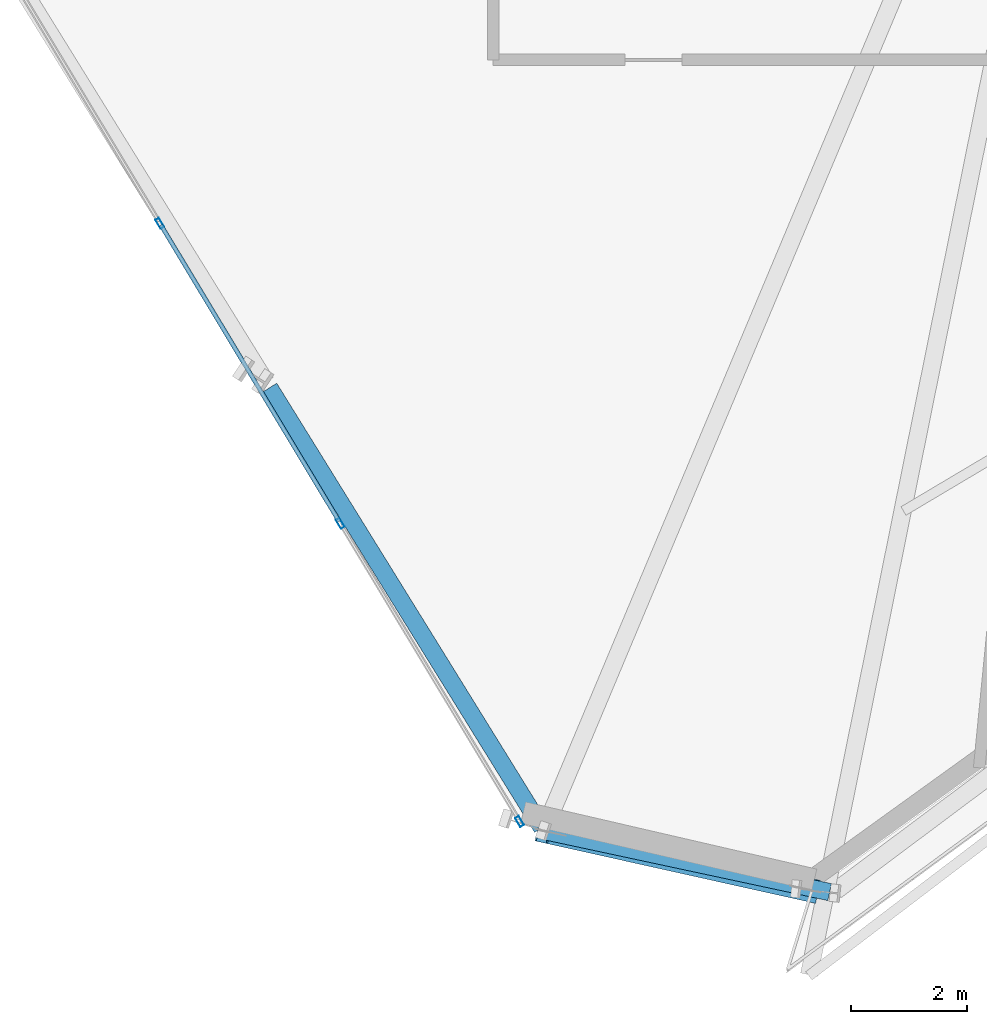
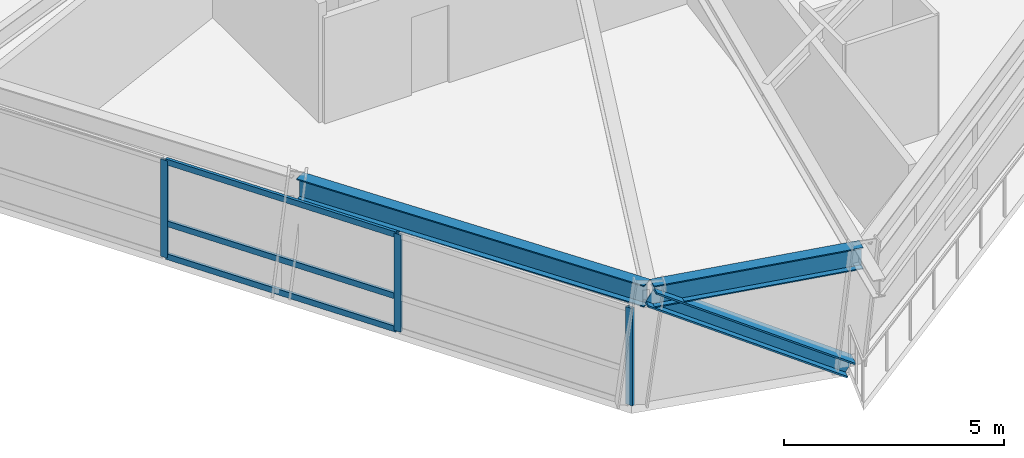
# One storey, part 2 of 18: 7 members, 2 beams, 1 element without a shape of its own.
"""IFC4 building model written with IfcOpenShell, lengths in metres."""

from ifc_helpers import new_model, si_unit, direction, frame, origin, origin_2d, place, context, subcontext, project, spatial, hollow_rectangle, i_section, extrude, source, transform, mapped, material, material_profile, profile_set, type_object, element, aggregate, save


model = new_model("IFC4")

# Units and contexts
model_context = context("Model", 3, precision=1e-05, world=origin(), true_north=direction((0.0, 1.0)))
body_context = subcontext(model_context, "Body", "Model", "MODEL_VIEW")
ifc_project = project(units=[si_unit("LENGTHUNIT", "METRE"), si_unit("AREAUNIT", "SQUARE_METRE"), si_unit("VOLUMEUNIT", "CUBIC_METRE"), si_unit("PLANEANGLEUNIT", "RADIAN"), si_unit("MASSUNIT", "GRAM", prefix="KILO")], contexts=[model_context])

# Site, building, storey
site_placement = place(None, origin())
site = spatial("IfcSite", under=ifc_project, at=site_placement, CompositionType="ELEMENT")
building_placement = place(site_placement, origin())
building = spatial("IfcBuilding", under=site, at=building_placement, Name="Olszyna Solenne Hotel", CompositionType="ELEMENT")
storey_placement = place(building_placement, frame((0.0, 0.0, 119.89990234375)))
storey = spatial("IfcBuildingStorey", under=building, at=storey_placement, Name="L31", CompositionType="ELEMENT", Elevation=119.89990234375)

# Beams
ifc_material_1 = material(Name="Steel S355J2", Category="steel")
ifc_material_profile_1 = material_profile(ifc_material_1, i_section(OverallWidth=0.300048828125, OverallDepth=0.60009765625, WebThickness=0.015380859375, FlangeThickness=0.030029296875, at=origin_2d()), Name="HEB 600", Category="load-bearing")
ifc_profile_set_1 = profile_set([ifc_material_profile_1], Name="Steel S355J2")
beam_type = type_object("IfcBeamType", Name="BM-S2", PredefinedType="BEAM", material=ifc_profile_set_1)
shared_shape_1 = source(origin(), body_context, "Body", "SweptSolid", [
    extrude(i_section(OverallWidth=0.300048828125, OverallDepth=0.60009765625, WebThickness=0.015380859375, FlangeThickness=0.030029296875, at=origin_2d()), origin(), (0.0, 0.0, 1.0), 8.9404296875),
])
beam_1_placement = place(storey_placement, frame((23.58544921875, 11.186767578125, 3.0), z_axis=(0.526599958294, -0.850113218298, 0.0), x_axis=(0.850113218298, 0.526599958294, 0.0)))
element("IfcBeam", 1, at=beam_1_placement, inside=storey, type_object=beam_type, Name="Perimeter spandrel beam BM-S2 B-L31-0934", PredefinedType="BEAM", context=body_context, shape_type="MappedRepresentation", body=[
    mapped(shared_shape_1, transform((0.0, 0.0, 0.0), x_axis=(1.0, 0.0, 0.0), y_axis=(0.0, 1.0, 0.0), z_axis=(0.0, 0.0, 1.0), scale=1.0)),
])
shared_shape_2 = source(origin(), body_context, "Body", "SweptSolid", [
    extrude(i_section(OverallWidth=0.300048828125, OverallDepth=0.60009765625, WebThickness=0.015380859375, FlangeThickness=0.030029296875, at=origin_2d()), origin(), (0.0, 0.0, 1.0), 4.9892578125),
])
beam_2_placement = place(storey_placement, frame((28.3837890625, 3.522705078125, 3.0), z_axis=(0.977790954995, -0.209582557314, 0.0), x_axis=(0.209582557314, 0.977790954995, 0.0)))
element("IfcBeam", 2, at=beam_2_placement, inside=storey, type_object=beam_type, Name="Perimeter spandrel beam BM-S2 B-L31-0935", PredefinedType="BEAM", context=body_context, shape_type="MappedRepresentation", body=[
    mapped(shared_shape_2, transform((0.0, 0.0, 0.0), x_axis=(1.0, 0.0, 0.0), y_axis=(0.0, 1.0, 0.0), z_axis=(0.0, 0.0, 1.0), scale=1.0)),
])

# Member
ifc_material_2 = material(Name="Steel S460M", Category="steel")
ifc_material_profile_2 = material_profile(ifc_material_2, i_section(OverallWidth=0.406005859375, OverallDepth=0.416015625, WebThickness=0.026611328125, FlangeThickness=0.04150390625, at=origin_2d()), Name="HD 400x382", Category="load-bearing")
ifc_profile_set_2 = profile_set([ifc_material_profile_2], Name="Steel S460M")
member_type_1 = type_object("IfcMemberType", Name="BR-T2", PredefinedType="BRACE", material=ifc_profile_set_2)
shared_shape_3 = source(origin(), body_context, "Body", "SweptSolid", [
    extrude(i_section(OverallWidth=0.406005859375, OverallDepth=0.416015625, WebThickness=0.026611328125, FlangeThickness=0.04150390625, at=origin_2d()), origin(), (0.0, 0.0, 1.0), 5.5908203125),
])
member_1_placement = place(storey_placement, frame((32.95458984375, 2.50390625, 0.010009765625), z_axis=(-0.828024123407, 0.184495407731, 0.529469069524), x_axis=(-0.217480900567, -0.9760645767, 0.0)))
element("IfcMember", 3, at=member_1_placement, inside=storey, type_object=member_type_1, Name="Perimeter braced-tube diagonal BR-T2 BR-L31-3", PredefinedType="BRACE", context=body_context, shape_type="MappedRepresentation", body=[
    mapped(shared_shape_3, transform((0.0, 0.0, 0.0), x_axis=(1.0, 0.0, 0.0), y_axis=(0.0, 1.0, 0.0), z_axis=(0.0, 0.0, 1.0), scale=1.0)),
])

# Curtain wall, members
ifc_material_3 = material(Name="Anodised bronze aluminium", Category="aluminium")
curtain_wall_type = type_object("IfcCurtainWallType", Name="CW-SYS-3", PredefinedType="NOTDEFINED", material=ifc_material_3)
curtain_wall_placement = place(storey_placement, origin())
curtain_wall = element("IfcCurtainWall", 4, at=curtain_wall_placement, inside=storey, type_object=curtain_wall_type, Name="Unitised curtain wall CW-SYS-3 CW-L31-01", PredefinedType="NOTDEFINED")
ifc_material_profile_3 = material_profile(ifc_material_3, hollow_rectangle(XDim=0.074951171875, YDim=0.179931640625, WallThickness=0.00439453125, at=origin_2d()), Name="MULL 180x75x4.5", Category="load-bearing")
ifc_profile_set_3 = profile_set([ifc_material_profile_3], Name="Anodised bronze aluminium")
member_type_2 = type_object("IfcMemberType", Name="CW-M2", PredefinedType="MULLION", material=ifc_profile_set_3)
shared_shape_4 = source(origin(), body_context, "Body", "SweptSolid", [
    extrude(hollow_rectangle(XDim=0.074951171875, YDim=0.179931640625, WallThickness=0.00439453125, at=origin_2d()), origin(), (0.0, 0.0, 1.0), 2.692138671875),
])
member_2_placement = place(storey_placement, frame((21.69287109375, 14.028564453125, 0.0), z_axis=(0.0, 0.0, 1.0), x_axis=(0.85693453502, 0.515425263923, 0.0)))
member_2 = element("IfcMember", 5, at=member_2_placement, type_object=member_type_2, Name="Curtain-wall mullion CW-M2 CM-L31-01-02", PredefinedType="MULLION", context=body_context, shape_type="MappedRepresentation", body=[
    mapped(shared_shape_4, transform((0.0, 0.0, 0.0), x_axis=(1.0, 0.0, 0.0), y_axis=(0.0, 1.0, 0.0), z_axis=(0.0, 0.0, 1.0), scale=1.0)),
])
member_3_placement = place(storey_placement, frame((24.809814453125, 8.8466796875, 0.0), z_axis=(0.0, 0.0, 1.0), x_axis=(0.85693453502, 0.515425263923, 0.0)))
member_3 = element("IfcMember", 6, at=member_3_placement, type_object=member_type_2, Name="Curtain-wall mullion CW-M2 CM-L31-01-03", PredefinedType="MULLION", context=body_context, shape_type="MappedRepresentation", body=[
    mapped(shared_shape_4, transform((0.0, 0.0, 0.0), x_axis=(1.0, 0.0, 0.0), y_axis=(0.0, 1.0, 0.0), z_axis=(0.0, 0.0, 1.0), scale=1.0)),
])
member_4_placement = place(storey_placement, frame((27.9072265625, 3.697021484375, 0.0), z_axis=(0.0, 0.0, 1.0), x_axis=(0.85693453502, 0.515425263923, 0.0)))
member_4 = element("IfcMember", 7, at=member_4_placement, type_object=member_type_2, Name="Curtain-wall mullion CW-M2 CM-L31-01-04", PredefinedType="MULLION", context=body_context, shape_type="MappedRepresentation", body=[
    mapped(shared_shape_4, transform((0.0, 0.0, 0.0), x_axis=(1.0, 0.0, 0.0), y_axis=(0.0, 1.0, 0.0), z_axis=(0.0, 0.0, 1.0), scale=1.0)),
])
ifc_material_profile_4 = material_profile(ifc_material_3, hollow_rectangle(XDim=0.074951171875, YDim=0.159912109375, WallThickness=0.00390625, at=origin_2d()), Name="TRAN 160x75x4", Category="load-bearing")
ifc_profile_set_4 = profile_set([ifc_material_profile_4], Name="Anodised bronze aluminium")
member_type_3 = type_object("IfcMemberType", Name="CW-T1", PredefinedType="USERDEFINED", material=ifc_profile_set_4)
shared_shape_5 = source(origin(), body_context, "Body", "SweptSolid", [
    extrude(hollow_rectangle(XDim=0.074951171875, YDim=0.159912109375, WallThickness=0.00390625, at=origin_2d()), origin(), (0.0, 0.0, 1.0), 5.9716796875),
])
member_5_placement = place(storey_placement, frame((21.71240234375, 13.996337890625, 0.03759765625), z_axis=(0.515409313819, -0.856944128417, 0.0), x_axis=(0.856944128417, 0.515409313819, 0.0)))
member_5 = element("IfcMember", 8, at=member_5_placement, type_object=member_type_3, Name="Curtain-wall transom CW-T1 CT-L31-01-04", ObjectType="TRANSOM", PredefinedType="USERDEFINED", context=body_context, shape_type="MappedRepresentation", body=[
    mapped(shared_shape_5, transform((0.0, 0.0, 0.0), x_axis=(1.0, 0.0, 0.0), y_axis=(0.0, 1.0, 0.0), z_axis=(0.0, 0.0, 1.0), scale=1.0)),
])
member_6_placement = place(storey_placement, frame((21.71240234375, 13.996337890625, 0.9501953125), z_axis=(0.515409313819, -0.856944128417, 0.0), x_axis=(0.856944128417, 0.515409313819, 0.0)))
member_6 = element("IfcMember", 9, at=member_6_placement, type_object=member_type_3, Name="Curtain-wall transom CW-T1 CT-L31-01-05", ObjectType="TRANSOM", PredefinedType="USERDEFINED", context=body_context, shape_type="MappedRepresentation", body=[
    mapped(shared_shape_5, transform((0.0, 0.0, 0.0), x_axis=(1.0, 0.0, 0.0), y_axis=(0.0, 1.0, 0.0), z_axis=(0.0, 0.0, 1.0), scale=1.0)),
])
member_7_placement = place(storey_placement, frame((21.71240234375, 13.996337890625, 2.654541015625), z_axis=(0.515409313819, -0.856944128417, 0.0), x_axis=(0.856944128417, 0.515409313819, 0.0)))
member_7 = element("IfcMember", 10, at=member_7_placement, type_object=member_type_3, Name="Curtain-wall transom CW-T1 CT-L31-01-06", ObjectType="TRANSOM", PredefinedType="USERDEFINED", context=body_context, shape_type="MappedRepresentation", body=[
    mapped(shared_shape_5, transform((0.0, 0.0, 0.0), x_axis=(1.0, 0.0, 0.0), y_axis=(0.0, 1.0, 0.0), z_axis=(0.0, 0.0, 1.0), scale=1.0)),
])
aggregate(curtain_wall, [member_2, member_3, member_4, member_5, member_6, member_7])

save(model, "model.ifc")
